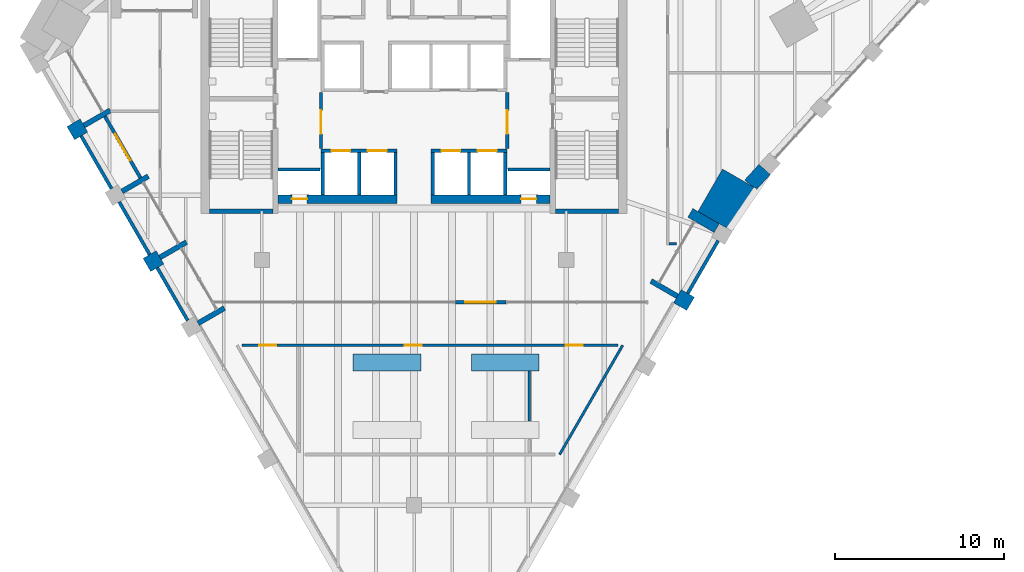
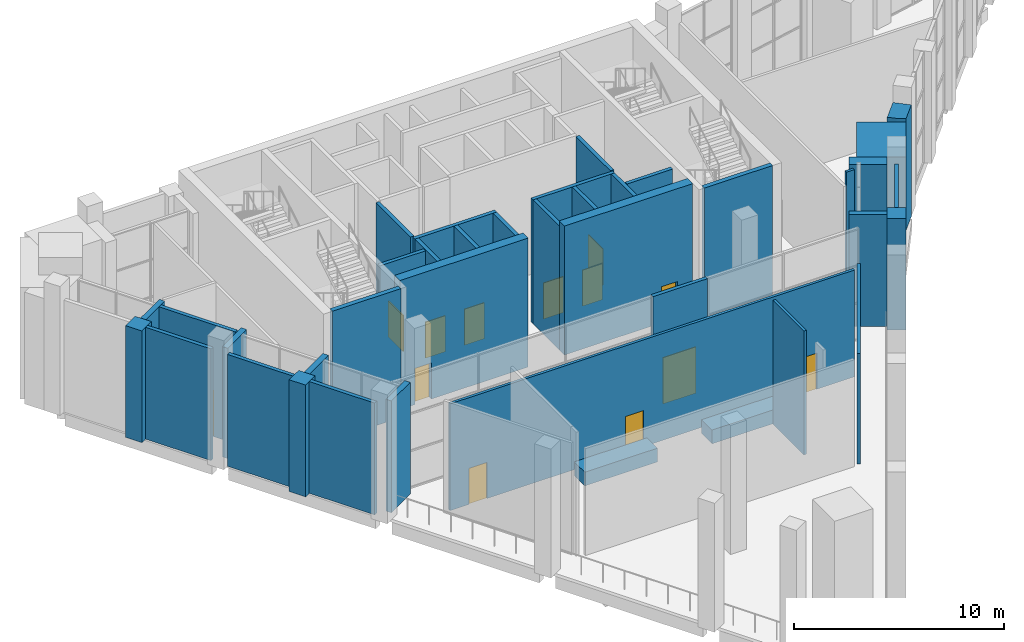
# One storey, part 9 of 14: 39 walls, 13 doors, 13 openings.
"""IFC4 building model written with IfcOpenShell, lengths in metres."""

import ifcopenshell
import ifcopenshell.guid

model = None  # the IFC model being written
_history = None  # IfcOwnerHistory: only IFC2X3 demands one
_inside = {}  # id of a spatial element -> (the spatial element, [elements in it])
_under = {}  # id of a project, library or spatial element -> (it, [spatial elements below it])
_declared = {}  # id of a project -> (the project, [libraries it declares])
_typed = {}  # id of a type object -> (the type object, [elements of that type])
_made_of = {}  # id of a material, layer set ... -> (it, [elements and type objects made of it])


def new_model(schema):
    """Start an empty IFC model of exactly this schema.

    Asked for "IFC4X3", IfcOpenShell would pick the latest addendum, in which some entities
    have other attributes; the version numbers below select the first issue.
    IFC2X3 requires an IfcOwnerHistory on every rooted entity: one is made here for all.
    """
    global model, _history
    if schema == "IFC4X3":
        model = ifcopenshell.file(schema_version=(4, 3, 0, 0))
    else:
        model = ifcopenshell.file(schema=schema)
    _inside.clear()
    _under.clear()
    _declared.clear()
    _typed.clear()
    _made_of.clear()
    _history = None
    if model.schema == "IFC2X3":
        org = make("IfcOrganization", Name="unknown")
        user = make(
            "IfcPersonAndOrganization",
            ThePerson=make("IfcPerson", FamilyName="unknown"),
            TheOrganization=org,
        )
        app = make(
            "IfcApplication",
            ApplicationDeveloper=org,
            Version="unknown",
            ApplicationFullName="unknown",
            ApplicationIdentifier="unknown",
        )
        _history = make(
            "IfcOwnerHistory",
            OwningUser=user,
            OwningApplication=app,
            ChangeAction="ADDED",
            CreationDate=0,
        )
    return model


def make(cls, **values):
    """One entity of the class cls with the attributes given. An attribute that is None is left unset."""
    return model.create_entity(
        cls, **{name: value for name, value in values.items() if value is not None}
    )


def rooted(cls, **values):
    """An entity with a GlobalId (a new one), such as an element, a storey or a relation."""
    return make(cls, GlobalId=ifcopenshell.guid.new(), OwnerHistory=_history, **values)


def si_unit(unit_type, name, prefix=None):
    """IfcSIUnit, for example si_unit("LENGTHUNIT", "METRE", prefix="MILLI")."""
    return make("IfcSIUnit", UnitType=unit_type, Prefix=prefix, Name=name)


def assignment(units):
    """IfcUnitAssignment: the units of a project."""
    return None if units is None else make("IfcUnitAssignment", Units=units)


def point(xyz):
    """IfcCartesianPoint."""
    return None if xyz is None else make("IfcCartesianPoint", Coordinates=xyz)


def direction(xyz):
    """IfcDirection."""
    return None if xyz is None else make("IfcDirection", DirectionRatios=xyz)


def frame(location, z_axis=None, x_axis=None):
    """IfcAxis2Placement3D, a coordinate frame: its origin and axes. An axis left out is left unset."""
    return make(
        "IfcAxis2Placement3D",
        Location=point(location),
        Axis=direction(z_axis),
        RefDirection=direction(x_axis),
    )


def frame_2d(location, x_axis=None):
    """IfcAxis2Placement2D, a coordinate frame in the plane: its origin and x axis."""
    return make(
        "IfcAxis2Placement2D", Location=point(location), RefDirection=direction(x_axis)
    )


def origin():
    """The frame at (0, 0, 0) with its axes left unset."""
    return frame((0.0, 0.0, 0.0))


def place(relative_to, where):
    """IfcLocalPlacement: puts the frame where relative to a parent placement (None: the world)."""
    return make(
        "IfcLocalPlacement", PlacementRelTo=relative_to, RelativePlacement=where
    )


def context(
    kind, dimensions, precision=None, world=None, true_north=None, identifier=None
):
    """IfcGeometricRepresentationContext, for example the 3D "Model" context."""
    return make(
        "IfcGeometricRepresentationContext",
        ContextIdentifier=identifier,
        ContextType=kind,
        CoordinateSpaceDimension=dimensions,
        Precision=precision,
        WorldCoordinateSystem=world,
        TrueNorth=true_north,
    )


def subcontext(parent, identifier, kind, view, scale=None):
    """IfcGeometricRepresentationSubContext, for example "Body" below "Model"."""
    return make(
        "IfcGeometricRepresentationSubContext",
        ContextIdentifier=identifier,
        ContextType=kind,
        ParentContext=parent,
        TargetScale=scale,
        TargetView=view,
    )


def project(units=None, contexts=None):
    """IfcProject with its units and contexts."""
    return rooted(
        "IfcProject",
        Name="project",
        RepresentationContexts=contexts,
        UnitsInContext=assignment(units),
    )


def spatial(cls, under=None, at=None, **own):
    """A site, building, storey or space (cls), placed at a placement, below another one or the project."""
    s = rooted(cls, ObjectPlacement=at, **own)
    if under is not None:
        _under.setdefault(under.id(), (under, []))[1].append(s)
    return s


def polyline(points):
    """IfcPolyline through the points."""
    return make("IfcPolyline", Points=[point(p) for p in points])


def profile(cls, at=None, kind="AREA", **sizes):
    """A parametric profile (cls). Its sizes go by their IFC names, for example OverallWidth=200.0."""
    return make(cls, ProfileType=kind, Position=at, **sizes)


def rectangle(**sizes):
    """IfcRectangleProfileDef."""
    return profile("IfcRectangleProfileDef", **sizes)


def outline(outer, holes=None, kind="AREA"):
    """IfcArbitraryClosedProfileDef: a profile drawn as a closed curve; with holes, ...WithVoids."""
    if holes is None:
        return make("IfcArbitraryClosedProfileDef", ProfileType=kind, OuterCurve=outer)
    return make(
        "IfcArbitraryProfileDefWithVoids",
        ProfileType=kind,
        OuterCurve=outer,
        InnerCurves=holes,
    )


def extrude(swept, where, along, depth):
    """IfcExtrudedAreaSolid: the profile swept, set in the frame where, extruded along a direction by depth."""
    return make(
        "IfcExtrudedAreaSolid",
        SweptArea=swept,
        Position=where,
        ExtrudedDirection=direction(along),
        Depth=depth,
    )


def shape(context_of_items, identifier, shape_type, items):
    """IfcShapeRepresentation: the items that make up one representation, for example the "Body"."""
    return make(
        "IfcShapeRepresentation",
        ContextOfItems=context_of_items,
        RepresentationIdentifier=identifier,
        RepresentationType=shape_type,
        Items=items,
    )


def material(Name=None, Category=None):
    """IfcMaterial."""
    return make("IfcMaterial", Name=Name, Category=Category)


def layer(
    of_material, thickness, ventilated=None, Name=None, Category=None, Priority=None
):
    """IfcMaterialLayer: one layer of a wall or slab, of a material (None: an air gap)."""
    return make(
        "IfcMaterialLayer",
        Material=of_material,
        LayerThickness=thickness,
        IsVentilated=ventilated,
        Name=Name,
        Category=Category,
        Priority=Priority,
    )


def layer_set(layers, Name=None):
    """IfcMaterialLayerSet."""
    return make("IfcMaterialLayerSet", MaterialLayers=layers, LayerSetName=Name)


def made_of(thing, what):
    """Note that an element or type object is made of a material, layer set ...; save() writes the relation."""
    if what is not None:
        _made_of.setdefault(what.id(), (what, []))[1].append(thing)
    return thing


def type_object(cls, material=None, **own):
    """A type object (cls), such as IfcWallType, which elements share."""
    return made_of(rooted(cls, **own), material)


def element(
    cls,
    number,
    at=None,
    inside=None,
    cuts=None,
    type_object=None,
    material=None,
    context=None,
    identifier="Body",
    shape_type=None,
    held_by="IfcProductDefinitionShape",
    body=None,
    shapes=None,
    **own,
):
    """One element of the class cls, such as IfcWall. Its Tag is "e" and its number.

    at: its placement. inside: the storey or other place that contains it. cuts: it is an
    opening in that element (IfcRelVoidsElement). A single representation is given by context,
    identifier, shape_type and body (its items); several are given by shapes. held_by: the class
    of the entity that holds the representations. save() writes the other relations.
    """
    e = rooted(cls, Tag="e%d" % number, ObjectPlacement=at, **own)
    if body is not None:
        shapes = [shape(context, identifier, shape_type, body)]
    if shapes is not None:
        e.Representation = make(held_by, Representations=shapes)
    if inside is not None:
        _inside.setdefault(inside.id(), (inside, []))[1].append(e)
    if cuts is not None:
        rooted(
            "IfcRelVoidsElement", RelatingBuildingElement=cuts, RelatedOpeningElement=e
        )
    if type_object is not None:
        _typed.setdefault(type_object.id(), (type_object, []))[1].append(e)
    return made_of(e, material)


def fill(opening, filler):
    """IfcRelFillsElement: the door or window that sits in an opening."""
    return rooted(
        "IfcRelFillsElement",
        RelatingOpeningElement=opening,
        RelatedBuildingElement=filler,
    )


def aggregate(whole, parts):
    """IfcRelAggregates: a whole, such as a stair, and the parts it consists of."""
    return rooted("IfcRelAggregates", RelatingObject=whole, RelatedObjects=parts)


def save(model, path):
    """Write the relations noted so far, then the file.

    IfcRelAggregates (storeys below a building ...), IfcRelContainedInSpatialStructure (elements
    in a storey), IfcRelDefinesByType, IfcRelAssociatesMaterial and IfcRelDeclares: one each for
    every whole, place, type object, material and project.
    """
    for whole, parts in _under.values():
        aggregate(whole, parts)
    for where, things in _inside.values():
        rooted(
            "IfcRelContainedInSpatialStructure",
            RelatedElements=things,
            RelatingStructure=where,
        )
    for kind, things in _typed.values():
        rooted("IfcRelDefinesByType", RelatedObjects=things, RelatingType=kind)
    for what, things in _made_of.values():
        rooted("IfcRelAssociatesMaterial", RelatedObjects=things, RelatingMaterial=what)
    for by, libraries in _declared.values():
        rooted("IfcRelDeclares", RelatingContext=by, RelatedDefinitions=libraries)
    model.write(path)


model = new_model("IFC4")

# Units and contexts
model_context = context("Model", 3, precision=1e-05, world=origin(), true_north=direction((0.0, 1.0)))
body_context = subcontext(model_context, "Body", "Model", "MODEL_VIEW")
ifc_project = project(units=[si_unit("LENGTHUNIT", "METRE"), si_unit("AREAUNIT", "SQUARE_METRE"), si_unit("VOLUMEUNIT", "CUBIC_METRE"), si_unit("PLANEANGLEUNIT", "RADIAN"), si_unit("MASSUNIT", "GRAM", prefix="KILO")], contexts=[model_context])

# Site, building, storey
site_placement = place(None, origin())
site = spatial("IfcSite", under=ifc_project, at=site_placement, CompositionType="ELEMENT")
building_placement = place(site_placement, origin())
building = spatial("IfcBuilding", under=site, at=building_placement, Name="Calabash Gate Tower", CompositionType="ELEMENT")
storey_placement = place(building_placement, frame((0.0, 0.0, 295.0)))
storey = spatial("IfcBuildingStorey", under=building, at=storey_placement, Name="L71", CompositionType="ELEMENT", Elevation=295.0)

# Walls
ifc_material_1 = material(Name="Terracotta brick masonry, exposed face", Category="masonry")
ifc_layer_1 = layer(ifc_material_1, 2.35009765625)
ifc_layer_set_1 = layer_set([ifc_layer_1], Name="Brick corner mass wall 2350")
wall_type_1 = type_object("IfcWallType", Name="Brick corner mass wall 2350", PredefinedType="SOLIDWALL", material=ifc_layer_set_1)
wall_1_placement = place(storey_placement, origin())
element("IfcWall", 1, at=wall_1_placement, inside=storey, type_object=wall_type_1, Name="Brick corner pier L71 1", PredefinedType="SOLIDWALL", context=body_context, shape_type="SweptSolid", body=[
    extrude(outline(polyline([(18.82275390625, 4.19482421875), (18.822509765625, 4.1943359375), (18.822509765625, 4.1943359375), (20.271240234375, 6.703125), (18.236083984375, 7.878173828125), (16.787353515625, 5.369140625), (18.04296875, 4.644287109375), (18.043212890625, 4.644775390625), (18.82275390625, 4.19482421875)])), origin(), (0.0, 0.0, 1.0), 6.278076171875),
])
ifc_material_2 = material(Name="Terracotta brick masonry, exposed face", Category="masonry")
ifc_layer_2 = layer(ifc_material_2, 0.89990234375)
ifc_layer_set_2 = layer_set([ifc_layer_2], Name="Brick end wall 900")
wall_type_2 = type_object("IfcWallType", Name="Brick end wall 900", PredefinedType="SOLIDWALL", material=ifc_layer_set_2)
for number, where, z_axis, x_axis, name in (
    (2, (-20.301513671875, 9.998046875, 0.0), (0.0, 0.0, 1.0), (0.866013897511, 0.50001992892, 0.0), "Brick pier L71 SW0.1"),
    (3, (-15.022216796875, 2.65380859375, 0.0), (0.0, 0.0, 1.0), (-0.865896406789, -0.500223362819, 0.0), "Brick pier L71 SW0.3"),
):
    element("IfcWall", number, at=place(storey_placement, frame(where, z_axis=z_axis, x_axis=x_axis)), inside=storey, type_object=wall_type_2, Name=name, PredefinedType="SOLIDWALL", context=body_context, shape_type="SweptSolid", body=[
        extrude(rectangle(XDim=0.89990234375, YDim=0.89990234375, at=frame_2d((0.449951171875, 0.0))), origin(), (0.0, 0.0, 1.0), 6.5),
    ])
wall_2_placement = place(storey_placement, frame((15.568115234375, 0.357421875, 0.0), z_axis=(0.0, 0.0, 1.0), x_axis=(0.866081705922, -0.499902469156, 0.0)))
element("IfcWall", 4, at=wall_2_placement, inside=storey, type_object=wall_type_2, Name="Brick pier L71 SE2.5", PredefinedType="SOLIDWALL", context=body_context, shape_type="SweptSolid", body=[
    extrude(rectangle(XDim=0.900146484375, YDim=0.89990234375, at=frame_2d((0.4501953125, 0.0))), origin(), (0.0, 0.0, 1.0), 6.5),
])
wall_3_placement = place(storey_placement, origin())
element("IfcWall", 5, at=wall_3_placement, inside=storey, type_object=wall_type_2, Name="Brick end wall L71 1", PredefinedType="SOLIDWALL", context=body_context, shape_type="SweptSolid", body=[
    extrude(outline(polyline([(20.394775390625, 8.15625), (19.54931640625, 7.23193359375), (19.88134765625, 6.92822265625), (20.271240234375, 6.703125), (20.24658203125, 6.66064453125), (21.058837890625, 7.548828125), (20.394775390625, 8.15625)])), origin(), (0.0, 0.0, 1.0), 6.5),
])
ifc_material_3 = material(Name="Terracotta brick masonry, exposed face", Category="masonry")
ifc_layer_3 = layer(ifc_material_3, 0.300048828125)
ifc_layer_set_3 = layer_set([ifc_layer_3], Name="Brick loggia cheek wall 300")
wall_type_3 = type_object("IfcWallType", Name="Brick loggia cheek wall 300", PredefinedType="SOLIDWALL", material=ifc_layer_set_3)
wall_4_placement = place(storey_placement, frame((-17.96337890625, 11.347900390625, 0.0), z_axis=(0.0, 0.0, 1.0), x_axis=(-0.866047807691, -0.499961193289, 0.0)))
element("IfcWall", 6, at=wall_4_placement, inside=storey, type_object=wall_type_3, Name="Loggia cheek L71 SW0.1", PredefinedType="SOLIDWALL", context=body_context, shape_type="SweptSolid", body=[
    extrude(rectangle(XDim=1.800048828125, YDim=0.300048828125, at=frame_2d((0.89990234375, 0.0))), origin(), (0.0, 0.0, 1.0), 6.5),
])
wall_5_placement = place(storey_placement, frame((-17.272216796875, 6.55078125, 0.0), z_axis=(0.0, 0.0, 1.0), x_axis=(0.865989075817, 0.500062916607, 0.0)))
element("IfcWall", 7, at=wall_5_placement, inside=storey, type_object=wall_type_3, Name="Loggia cheek L71 SW0.2", PredefinedType="SOLIDWALL", context=body_context, shape_type="SweptSolid", body=[
    extrude(rectangle(XDim=1.800048828125, YDim=0.300048828125, at=frame_2d((0.89990234375, 0.0))), origin(), (0.0, 0.0, 1.0), 6.420166015625),
])
wall_6_placement = place(storey_placement, frame((-13.46337890625, 3.5537109375, 0.0), z_axis=(0.0, 0.0, 1.0), x_axis=(-0.866047807691, -0.499961193289, 0.0)))
element("IfcWall", 8, at=wall_6_placement, inside=storey, type_object=wall_type_3, Name="Loggia cheek L71 SW0.3", PredefinedType="SOLIDWALL", context=body_context, shape_type="SweptSolid", body=[
    extrude(rectangle(XDim=1.800048828125, YDim=0.300048828125, at=frame_2d((0.89990234375, 0.0))), origin(), (0.0, 0.0, 1.0), 6.5),
])
wall_7_placement = place(storey_placement, frame((-12.77197265625, -1.243408203125, 0.0), z_axis=(0.0, 0.0, 1.0), x_axis=(0.866013897511, 0.50001992892, 0.0)))
element("IfcWall", 9, at=wall_7_placement, inside=storey, type_object=wall_type_3, Name="Loggia cheek L71 SW0.4", PredefinedType="SOLIDWALL", context=body_context, shape_type="SweptSolid", body=[
    extrude(rectangle(XDim=1.7998046875, YDim=0.300048828125, at=frame_2d((0.89990234375, 0.0))), origin(), (0.0, 0.0, 1.0), 6.5),
])
wall_8_placement = place(storey_placement, frame((15.568115234375, 0.357421875, 0.0), z_axis=(0.0, 0.0, 1.0), x_axis=(-0.866047807691, 0.499961193289, 0.0)))
element("IfcWall", 10, at=wall_8_placement, inside=storey, type_object=wall_type_3, Name="Loggia cheek L71 SE2.5", PredefinedType="SOLIDWALL", context=body_context, shape_type="SweptSolid", body=[
    extrude(rectangle(XDim=1.800048828125, YDim=0.300048828125, at=frame_2d((0.89990234375, 0.0))), origin(), (0.0, 0.0, 1.0), 6.5),
])
wall_9_placement = place(storey_placement, frame((17.89306640625, 4.384521484375, 0.0), z_axis=(0.0, 0.0, 1.0), x_axis=(-0.866047807691, 0.499961193289, 0.0)))
element("IfcWall", 11, at=wall_9_placement, inside=storey, type_object=wall_type_3, Name="Loggia cheek L71 SE2.6", PredefinedType="SOLIDWALL", context=body_context, shape_type="SweptSolid", body=[
    extrude(rectangle(XDim=1.800048828125, YDim=0.60009765625, at=frame_2d((0.89990234375, 0.0))), origin(), (0.0, 0.0, 1.0), 6.278076171875),
])
ifc_material_4 = material(Name="Concrete C60/75", Category="concrete")
ifc_layer_4 = layer(ifc_material_4, 0.25)
ifc_layer_set_4 = layer_set([ifc_layer_4], Name="Core wall 250 Concrete C60/75")
wall_type_4 = type_object("IfcWallType", Name="Core wall 250 Concrete C60/75", PredefinedType="SHEAR", material=ifc_layer_set_4)
for number, where, z_axis, x_axis, name in (
    (12, (-12.10009765625, 5.377685546875, 0.0), (0.0, 0.0, 1.0), (1.0, 0.0, 0.0), "Core wall Z5-SSW L71"),
    (13, (8.35009765625, 5.377685546875, 0.0), (0.0, 0.0, 1.0), (1.0, 0.0, 0.0), "Core wall Z5-SSE L71"),
):
    element("IfcWall", number, at=place(storey_placement, frame(where, z_axis=z_axis, x_axis=x_axis)), inside=storey, type_object=wall_type_4, Name=name, PredefinedType="SHEAR", context=body_context, shape_type="SweptSolid", body=[
        extrude(rectangle(XDim=3.75, YDim=0.25, at=frame_2d((1.875, 0.0))), origin(), (0.0, 0.0, 1.0), 7.5),
    ])

# Wall, opening, door
ifc_material_5 = material(Name="Concrete C60/75", Category="concrete")
ifc_layer_5 = layer(ifc_material_5, 0.5)
ifc_layer_set_5 = layer_set([ifc_layer_5], Name="Core wall 500 Concrete C60/75")
wall_type_5 = type_object("IfcWallType", Name="Core wall 500 Concrete C60/75", PredefinedType="SHEAR", material=ifc_layer_set_5)
wall_10_placement = place(storey_placement, frame((-8.050048828125, 6.1025390625, 0.0), z_axis=(0.0, 0.0, 1.0), x_axis=(1.0, 0.0, 0.0)))
wall_10 = element("IfcWall", 14, at=wall_10_placement, inside=storey, type_object=wall_type_5, Name="Core wall Z5-SA L71", PredefinedType="SHEAR", context=body_context, shape_type="SweptSolid", body=[
    extrude(rectangle(XDim=7.050048828125, YDim=0.5, at=frame_2d((3.52490234375, 0.0))), origin(), (0.0, 0.0, 1.0), 7.5),
])
opening_1_placement = place(wall_10_placement, frame((0.824951171875, 0.0, 0.0)))
opening_1 = element("IfcOpeningElement", 15, at=opening_1_placement, cuts=wall_10, Name="Opening L71-014", PredefinedType="OPENING", context=body_context, shape_type="SweptSolid", body=[
    extrude(rectangle(XDim=0.89990234375, YDim=2.10009765625, at=frame_2d((0.449951171875, 1.050048828125))), frame((0.0, 0.260009765625, 0.0), z_axis=(0.0, -1.0, 0.0), x_axis=(1.0, 0.0, 0.0)), (0.0, 0.0, 1.0), 0.52001953125),
])
ifc_material_6 = material(Name="Steel fire door set with fire-resisting glazing", Category="steel")
door_type_1 = type_object("IfcDoorType", Name="Fire door D07 900x2100 FD90", OperationType="NOTDEFINED", PredefinedType="DOOR", material=ifc_material_6)
door_1_placement = place(opening_1_placement, origin())
door_1 = element("IfcDoor", 16, at=door_1_placement, inside=storey, type_object=door_type_1, Name="Electrical Riser W door", OperationType="SINGLE_SWING_LEFT", OverallHeight=2.10009765625, OverallWidth=0.89990234375, PredefinedType="DOOR", context=body_context, shape_type="SweptSolid", body=[
    extrude(rectangle(XDim=0.89990234375, YDim=2.10009765625, at=frame_2d((0.449951171875, 1.050048828125))), frame((0.0, 0.02490234375, 0.0), z_axis=(0.0, -1.0, 0.0), x_axis=(1.0, 0.0, 0.0)), (0.0, 0.0, 1.0), 0.050048828125),
])
fill(opening_1, door_1)

wall_11_placement = place(storey_placement, frame((1.0, 6.1025390625, 0.0), z_axis=(0.0, 0.0, 1.0), x_axis=(1.0, 0.0, 0.0)))
wall_11 = element("IfcWall", 17, at=wall_11_placement, inside=storey, type_object=wall_type_5, Name="Core wall Z5-SB L71", PredefinedType="SHEAR", context=body_context, shape_type="SweptSolid", body=[
    extrude(rectangle(XDim=7.050048828125, YDim=0.5, at=frame_2d((3.52490234375, 0.0))), origin(), (0.0, 0.0, 1.0), 7.5),
])
opening_2_placement = place(wall_11_placement, frame((5.324951171875, 0.0, 0.0)))
opening_2 = element("IfcOpeningElement", 18, at=opening_2_placement, cuts=wall_11, Name="Opening L71-015", PredefinedType="OPENING", context=body_context, shape_type="SweptSolid", body=[
    extrude(rectangle(XDim=0.89990234375, YDim=2.10009765625, at=frame_2d((0.449951171875, 1.050048828125))), frame((0.0, 0.260009765625, 0.0), z_axis=(0.0, -1.0, 0.0), x_axis=(1.0, 0.0, 0.0)), (0.0, 0.0, 1.0), 0.52001953125),
])
door_2_placement = place(opening_2_placement, origin())
door_2 = element("IfcDoor", 19, at=door_2_placement, inside=storey, type_object=door_type_1, Name="Mechanical Riser E door", OperationType="SINGLE_SWING_RIGHT", OverallHeight=2.10009765625, OverallWidth=0.89990234375, PredefinedType="DOOR", context=body_context, shape_type="SweptSolid", body=[
    extrude(rectangle(XDim=0.89990234375, YDim=2.10009765625, at=frame_2d((0.449951171875, 1.050048828125))), frame((0.0, 0.02490234375, 0.0), z_axis=(0.0, -1.0, 0.0), x_axis=(1.0, 0.0, 0.0)), (0.0, 0.0, 1.0), 0.050048828125),
])
fill(opening_2, door_2)

# Wall
ifc_material_7 = material(Name="Gypsum board on steel studs, mineral wool", Category="steel")
ifc_layer_6 = layer(ifc_material_7, 0.14990234375)
ifc_layer_set_6 = layer_set([ifc_layer_6], Name="Partition 150 gypsum board")
wall_type_6 = type_object("IfcWallType", Name="Partition 150 gypsum board", PredefinedType="PARTITIONING", material=ifc_layer_set_6)
wall_12_placement = place(storey_placement, frame((6.800048828125, -7.031982421875, 0.0), z_axis=(0.0, 0.0, 1.0), x_axis=(0.0, 1.0, 0.0)))
element("IfcWall", 20, at=wall_12_placement, inside=storey, type_object=wall_type_6, Name="Partition", PredefinedType="PARTITIONING", context=body_context, shape_type="SweptSolid", body=[
    extrude(rectangle(XDim=2.960205078125, YDim=0.14990234375, at=frame_2d((1.47998046875, 0.0))), origin(), (0.0, 0.0, 1.0), 7.199951171875),
])

# Wall, openings, doors
wall_13_placement = place(storey_placement, frame((-10.18896484375, -2.54736328125, 0.0), z_axis=(0.0, 0.0, 1.0), x_axis=(1.0, 0.0, 0.0)))
wall_13 = element("IfcWall", 21, at=wall_13_placement, inside=storey, type_object=wall_type_6, Name="Partition", PredefinedType="PARTITIONING", context=body_context, shape_type="SweptSolid", body=[
    extrude(rectangle(XDim=22.249755859375, YDim=0.14990234375, at=frame_2d((11.125, 0.0))), origin(), (0.0, 0.0, 1.0), 6.211669921875),
])
opening_3_placement = place(wall_13_placement, frame((19.171142578125, 0.0, 0.0)))
opening_3 = element("IfcOpeningElement", 22, at=opening_3_placement, cuts=wall_13, Name="Opening L71-020", PredefinedType="OPENING", context=body_context, shape_type="SweptSolid", body=[
    extrude(rectangle(XDim=1.0, YDim=2.10009765625, at=frame_2d((0.5, 1.050048828125))), frame((0.0, 0.0849609375, 0.0), z_axis=(0.0, -1.0, 0.0), x_axis=(1.0, 0.0, 0.0)), (0.0, 0.0, 1.0), 0.169921875),
])
opening_4_placement = place(wall_13_placement, frame((9.638916015625, 0.0, 0.0)))
opening_4 = element("IfcOpeningElement", 23, at=opening_4_placement, cuts=wall_13, Name="Opening L71-021", PredefinedType="OPENING", context=body_context, shape_type="SweptSolid", body=[
    extrude(rectangle(XDim=1.0, YDim=2.10009765625, at=frame_2d((0.5, 1.050048828125))), frame((0.0, 0.0849609375, 0.0), z_axis=(0.0, -1.0, 0.0), x_axis=(1.0, 0.0, 0.0)), (0.0, 0.0, 1.0), 0.169921875),
])
opening_5_placement = place(wall_13_placement, frame((1.0390625, 0.0, 0.0)))
opening_5 = element("IfcOpeningElement", 24, at=opening_5_placement, cuts=wall_13, Name="Opening L71-022", PredefinedType="OPENING", context=body_context, shape_type="SweptSolid", body=[
    extrude(rectangle(XDim=1.0, YDim=2.10009765625, at=frame_2d((0.5, 1.050048828125))), frame((0.0, 0.0849609375, 0.0), z_axis=(0.0, -1.0, 0.0), x_axis=(1.0, 0.0, 0.0)), (0.0, 0.0, 1.0), 0.169921875),
])
ifc_material_8 = material(Name="Steel fire door set with fire-resisting glazing", Category="steel")
door_type_2 = type_object("IfcDoorType", Name="Fire door D11 1000x2100 FD60", OperationType="NOTDEFINED", PredefinedType="DOOR", material=ifc_material_8)
door_3_placement = place(opening_3_placement, origin())
door_3 = element("IfcDoor", 25, at=door_3_placement, inside=storey, type_object=door_type_2, Name="Garden Cafe door", OperationType="SINGLE_SWING_LEFT", OverallHeight=2.10009765625, OverallWidth=1.0, PredefinedType="DOOR", context=body_context, shape_type="SweptSolid", body=[
    extrude(rectangle(XDim=1.0, YDim=2.10009765625, at=frame_2d((0.5, 1.050048828125))), frame((0.0, 0.02490234375, 0.0), z_axis=(0.0, -1.0, 0.0), x_axis=(1.0, 0.0, 0.0)), (0.0, 0.0, 1.0), 0.050048828125),
])
fill(opening_3, door_3)
door_4_placement = place(opening_4_placement, origin())
door_4 = element("IfcDoor", 26, at=door_4_placement, inside=storey, type_object=door_type_2, Name="Kitchen door", OperationType="SINGLE_SWING_RIGHT", OverallHeight=2.10009765625, OverallWidth=1.0, PredefinedType="DOOR", context=body_context, shape_type="SweptSolid", body=[
    extrude(rectangle(XDim=1.0, YDim=2.10009765625, at=frame_2d((0.5, 1.050048828125))), frame((0.0, 0.02490234375, 0.0), z_axis=(0.0, -1.0, 0.0), x_axis=(1.0, 0.0, 0.0)), (0.0, 0.0, 1.0), 0.050048828125),
])
fill(opening_4, door_4)
door_5_placement = place(opening_5_placement, origin())
door_5 = element("IfcDoor", 27, at=door_5_placement, inside=storey, type_object=door_type_2, Name="Lounge door", OperationType="SINGLE_SWING_RIGHT", OverallHeight=2.10009765625, OverallWidth=1.0, PredefinedType="DOOR", context=body_context, shape_type="SweptSolid", body=[
    extrude(rectangle(XDim=1.0, YDim=2.10009765625, at=frame_2d((0.5, 1.050048828125))), frame((0.0, 0.02490234375, 0.0), z_axis=(0.0, -1.0, 0.0), x_axis=(1.0, 0.0, 0.0)), (0.0, 0.0, 1.0), 0.050048828125),
])
fill(opening_5, door_5)

# Walls
wall_14_placement = place(storey_placement, frame((15.074951171875, 3.45263671875, 0.0), z_axis=(0.0, 0.0, 1.0), x_axis=(1.0, 0.0, 0.0)))
element("IfcWall", 28, at=wall_14_placement, inside=storey, type_object=wall_type_6, Name="Partition", PredefinedType="PARTITIONING", context=body_context, shape_type="SweptSolid", body=[
    extrude(rectangle(XDim=0.449951171875, YDim=0.14990234375, at=frame_2d((0.22509765625, 0.0))), origin(), (0.0, 0.0, 1.0), 7.199951171875),
])
wall_15_placement = place(storey_placement, frame((8.60693359375, -9.0, 0.0), z_axis=(0.0, 0.0, 1.0), x_axis=(0.499990965763, 0.866030619641, 0.0)))
element("IfcWall", 29, at=wall_15_placement, inside=storey, type_object=wall_type_6, Name="Partition", PredefinedType="PARTITIONING", context=body_context, shape_type="SweptSolid", body=[
    extrude(rectangle(XDim=7.450927734375, YDim=0.14990234375, at=frame_2d((3.7255859375, 0.0))), origin(), (0.0, 0.0, 1.0), 6.443603515625),
])

# Wall, opening, door
ifc_material_9 = material(Name="Aluminium framed window wall with insulated spandrel", Category="aluminium")
ifc_layer_7 = layer(ifc_material_9, 0.199951171875)
ifc_layer_set_7 = layer_set([ifc_layer_7], Name="Portal screen door wall 200")
wall_type_7 = type_object("IfcWallType", Name="Portal screen door wall 200", PredefinedType="ELEMENTEDWALL", material=ifc_layer_set_7)
wall_16_placement = place(storey_placement, frame((2.43603515625, 0.0, 0.0), z_axis=(0.0, 0.0, 1.0), x_axis=(1.0, 0.0, 0.0)))
wall_16 = element("IfcWall", 30, at=wall_16_placement, inside=storey, type_object=wall_type_7, Name="Portal screen door wall L71", PredefinedType="ELEMENTEDWALL", context=body_context, shape_type="SweptSolid", body=[
    extrude(rectangle(XDim=3.0, YDim=0.199951171875, at=frame_2d((1.5, 0.0))), origin(), (0.0, 0.0, 1.0), 6.5),
])
opening_6_placement = place(wall_16_placement, frame((0.60009765625, 0.0, 0.0)))
opening_6 = element("IfcOpeningElement", 31, at=opening_6_placement, cuts=wall_16, Name="Opening L71-002", PredefinedType="OPENING", context=body_context, shape_type="SweptSolid", body=[
    extrude(rectangle(XDim=1.800048828125, YDim=2.699951171875, at=frame_2d((0.89990234375, 1.35009765625))), frame((0.0, 0.10986328125, 0.0), z_axis=(0.0, -1.0, 0.0), x_axis=(1.0, 0.0, 0.0)), (0.0, 0.0, 1.0), 0.219970703125),
])
ifc_material_10 = material(Name="Anodised aluminium frame, bronze finish, impact-rated laminated clear glazing", Category="aluminium")
door_type_3 = type_object("IfcDoorType", Name="Observation deck door DX1 1800x2700", OperationType="DOUBLE_DOOR_SINGLE_SWING", PredefinedType="DOOR", material=ifc_material_10)
door_6_placement = place(opening_6_placement, origin())
door_6 = element("IfcDoor", 32, at=door_6_placement, inside=storey, type_object=door_type_3, Name="Portal terrace door L71", OperationType="SINGLE_SWING_LEFT", OverallHeight=2.699951171875, OverallWidth=1.800048828125, PredefinedType="DOOR", context=body_context, shape_type="SweptSolid", body=[
    extrude(rectangle(XDim=1.800048828125, YDim=2.699951171875, at=frame_2d((0.89990234375, 1.35009765625))), frame((0.0, 0.02490234375, 0.0), z_axis=(0.0, -1.0, 0.0), x_axis=(1.0, 0.0, 0.0)), (0.0, 0.0, 1.0), 0.050048828125),
])
fill(opening_6, door_6)

# Walls
ifc_material_11 = material(Name="Concrete C40/50", Category="concrete")
ifc_layer_8 = layer(ifc_material_11, 0.199951171875)
ifc_layer_set_8 = layer_set([ifc_layer_8], Name="Shaft wall 200 Concrete C40/50")
wall_type_8 = type_object("IfcWallType", Name="Shaft wall 200 Concrete C40/50", PredefinedType="SOLIDWALL", material=ifc_layer_set_8)
for number, where, z_axis, x_axis, name in (
    (33, (-5.39990234375, 6.3525390625, 0.0), (0.0, 0.0, 1.0), (0.0, 1.0, 0.0), "Shaft wall"),
    (34, (-3.25, 6.3525390625, 0.0), (0.0, 0.0, 1.0), (0.0, 1.0, 0.0), "Shaft wall"),
    (35, (-1.10009765625, 6.3525390625, 0.0), (0.0, 0.0, 1.0), (0.0, 1.0, 0.0), "Shaft wall"),
    (36, (1.10009765625, 6.3525390625, 0.0), (0.0, 0.0, 1.0), (0.0, 1.0, 0.0), "Shaft wall"),
    (37, (3.25, 6.3525390625, 0.0), (0.0, 0.0, 1.0), (0.0, 1.0, 0.0), "Shaft wall"),
    (38, (5.39990234375, 6.3525390625, 0.0), (0.0, 0.0, 1.0), (0.0, 1.0, 0.0), "Shaft wall"),
    (39, (-8.050048828125, 7.8525390625, 0.0), (0.0, 0.0, 1.0), (1.0, 0.0, 0.0), "Shaft wall"),
    (40, (5.550048828125, 7.8525390625, 0.0), (0.0, 0.0, 1.0), (1.0, 0.0, 0.0), "Shaft wall"),
):
    element("IfcWall", number, at=place(storey_placement, frame(where, z_axis=z_axis, x_axis=x_axis)), inside=storey, type_object=wall_type_8, Name=name, PredefinedType="SOLIDWALL", context=body_context, shape_type="SweptSolid", body=[
        extrude(rectangle(XDim=2.5, YDim=0.199951171875, at=frame_2d((1.25, 0.0))), origin(), (0.0, 0.0, 1.0), 7.199951171875),
    ])

# Wall, openings, doors
wall_17_placement = place(storey_placement, frame((-5.5, 8.95263671875, 0.0), z_axis=(0.0, 0.0, 1.0), x_axis=(1.0, 0.0, 0.0)))
wall_17 = element("IfcWall", 41, at=wall_17_placement, inside=storey, type_object=wall_type_8, Name="Shaft wall", PredefinedType="SOLIDWALL", context=body_context, shape_type="SweptSolid", body=[
    extrude(rectangle(XDim=4.5, YDim=0.199951171875, at=frame_2d((2.25, 0.0))), origin(), (0.0, 0.0, 1.0), 7.199951171875),
])
opening_7_placement = place(wall_17_placement, frame((0.625, 0.0, 0.0)))
opening_7 = element("IfcOpeningElement", 42, at=opening_7_placement, cuts=wall_17, Name="Opening LD-HR1", PredefinedType="OPENING", context=body_context, shape_type="SweptSolid", body=[
    extrude(rectangle(XDim=1.10009765625, YDim=2.10009765625, at=frame_2d((0.550048828125, 1.050048828125))), frame((0.0, 0.10986328125, 0.0), z_axis=(0.0, -1.0, 0.0), x_axis=(1.0, 0.0, 0.0)), (0.0, 0.0, 1.0), 0.219970703125),
])
opening_8_placement = place(wall_17_placement, frame((2.77490234375, 0.0, 0.0)))
opening_8 = element("IfcOpeningElement", 43, at=opening_8_placement, cuts=wall_17, Name="Opening LD-HR2", PredefinedType="OPENING", context=body_context, shape_type="SweptSolid", body=[
    extrude(rectangle(XDim=1.10009765625, YDim=2.10009765625, at=frame_2d((0.550048828125, 1.050048828125))), frame((0.0, 0.10986328125, 0.0), z_axis=(0.0, -1.0, 0.0), x_axis=(1.0, 0.0, 0.0)), (0.0, 0.0, 1.0), 0.219970703125),
])
ifc_material_12 = material(Name="Stainless steel sliding door leaves", Category="steel")
door_type_4 = type_object("IfcDoorType", Name="Lift landing door LS1 1100x2100 FD90", OperationType="DOUBLE_DOOR_SLIDING", PredefinedType="DOOR", material=ifc_material_12)
door_7_placement = place(opening_7_placement, origin())
door_7 = element("IfcDoor", 44, at=door_7_placement, inside=storey, type_object=door_type_4, Name="Lift landing door HR1", OperationType="DOUBLE_DOOR_SLIDING", OverallHeight=2.10009765625, OverallWidth=1.10009765625, PredefinedType="DOOR", context=body_context, shape_type="SweptSolid", body=[
    extrude(rectangle(XDim=1.10009765625, YDim=2.10009765625, at=frame_2d((0.550048828125, 1.050048828125))), frame((0.0, 0.02490234375, 0.0), z_axis=(0.0, -1.0, 0.0), x_axis=(1.0, 0.0, 0.0)), (0.0, 0.0, 1.0), 0.050048828125),
])
fill(opening_7, door_7)
door_8_placement = place(opening_8_placement, origin())
door_8 = element("IfcDoor", 45, at=door_8_placement, inside=storey, type_object=door_type_4, Name="Lift landing door HR2", OperationType="DOUBLE_DOOR_SLIDING", OverallHeight=2.10009765625, OverallWidth=1.10009765625, PredefinedType="DOOR", context=body_context, shape_type="SweptSolid", body=[
    extrude(rectangle(XDim=1.10009765625, YDim=2.10009765625, at=frame_2d((0.550048828125, 1.050048828125))), frame((0.0, 0.02490234375, 0.0), z_axis=(0.0, -1.0, 0.0), x_axis=(1.0, 0.0, 0.0)), (0.0, 0.0, 1.0), 0.050048828125),
])
fill(opening_8, door_8)

wall_18_placement = place(storey_placement, frame((1.0, 8.95263671875, 0.0), z_axis=(0.0, 0.0, 1.0), x_axis=(1.0, 0.0, 0.0)))
wall_18 = element("IfcWall", 46, at=wall_18_placement, inside=storey, type_object=wall_type_8, Name="Shaft wall", PredefinedType="SOLIDWALL", context=body_context, shape_type="SweptSolid", body=[
    extrude(rectangle(XDim=4.5, YDim=0.199951171875, at=frame_2d((2.25, 0.0))), origin(), (0.0, 0.0, 1.0), 7.199951171875),
])
opening_9_placement = place(wall_18_placement, frame((0.625, 0.0, 0.0)))
opening_9 = element("IfcOpeningElement", 47, at=opening_9_placement, cuts=wall_18, Name="Opening LD-HR3", PredefinedType="OPENING", context=body_context, shape_type="SweptSolid", body=[
    extrude(rectangle(XDim=1.10009765625, YDim=2.10009765625, at=frame_2d((0.550048828125, 1.050048828125))), frame((0.0, 0.10986328125, 0.0), z_axis=(0.0, -1.0, 0.0), x_axis=(1.0, 0.0, 0.0)), (0.0, 0.0, 1.0), 0.219970703125),
])
opening_10_placement = place(wall_18_placement, frame((2.77490234375, 0.0, 0.0)))
opening_10 = element("IfcOpeningElement", 48, at=opening_10_placement, cuts=wall_18, Name="Opening LD-HR4", PredefinedType="OPENING", context=body_context, shape_type="SweptSolid", body=[
    extrude(rectangle(XDim=1.10009765625, YDim=2.10009765625, at=frame_2d((0.550048828125, 1.050048828125))), frame((0.0, 0.10986328125, 0.0), z_axis=(0.0, -1.0, 0.0), x_axis=(1.0, 0.0, 0.0)), (0.0, 0.0, 1.0), 0.219970703125),
])
door_9_placement = place(opening_9_placement, origin())
door_9 = element("IfcDoor", 49, at=door_9_placement, inside=storey, type_object=door_type_4, Name="Lift landing door HR3", OperationType="DOUBLE_DOOR_SLIDING", OverallHeight=2.10009765625, OverallWidth=1.10009765625, PredefinedType="DOOR", context=body_context, shape_type="SweptSolid", body=[
    extrude(rectangle(XDim=1.10009765625, YDim=2.10009765625, at=frame_2d((0.550048828125, 1.050048828125))), frame((0.0, 0.02490234375, 0.0), z_axis=(0.0, -1.0, 0.0), x_axis=(1.0, 0.0, 0.0)), (0.0, 0.0, 1.0), 0.050048828125),
])
fill(opening_9, door_9)
door_10_placement = place(opening_10_placement, origin())
door_10 = element("IfcDoor", 50, at=door_10_placement, inside=storey, type_object=door_type_4, Name="Lift landing door HR4", OperationType="DOUBLE_DOOR_SLIDING", OverallHeight=2.10009765625, OverallWidth=1.10009765625, PredefinedType="DOOR", context=body_context, shape_type="SweptSolid", body=[
    extrude(rectangle(XDim=1.10009765625, YDim=2.10009765625, at=frame_2d((0.550048828125, 1.050048828125))), frame((0.0, 0.02490234375, 0.0), z_axis=(0.0, -1.0, 0.0), x_axis=(1.0, 0.0, 0.0)), (0.0, 0.0, 1.0), 0.050048828125),
])
fill(opening_10, door_10)

# Wall, opening, door
wall_19_placement = place(storey_placement, frame((-5.5, 9.1025390625, 0.0), z_axis=(0.0, 0.0, 1.0), x_axis=(0.0, 1.0, 0.0)))
wall_19 = element("IfcWall", 51, at=wall_19_placement, inside=storey, type_object=wall_type_8, Name="Shaft wall", PredefinedType="SOLIDWALL", context=body_context, shape_type="SweptSolid", body=[
    extrude(rectangle(XDim=3.300048828125, YDim=0.199951171875, at=frame_2d((1.64990234375, 0.0))), origin(), (0.0, 0.0, 1.0), 7.199951171875),
])
opening_11_placement = place(wall_19_placement, frame((0.85009765625, 0.0, 0.0)))
opening_11 = element("IfcOpeningElement", 52, at=opening_11_placement, cuts=wall_19, Name="Opening L71-008", PredefinedType="OPENING", context=body_context, shape_type="SweptSolid", body=[
    extrude(rectangle(XDim=1.39990234375, YDim=2.10009765625, at=frame_2d((0.699951171875, 1.050048828125))), frame((0.0, 0.10986328125, 0.0), z_axis=(0.0, -1.0, 0.0), x_axis=(1.0, 0.0, 0.0)), (0.0, 0.0, 1.0), 0.219970703125),
])
ifc_material_13 = material(Name="Steel fire door set with fire-resisting glazing", Category="steel")
door_type_5 = type_object("IfcDoorType", Name="Fire door D05 1400x2100 FD90", OperationType="NOTDEFINED", PredefinedType="DOOR", material=ifc_material_13)
door_11_placement = place(opening_11_placement, origin())
door_11 = element("IfcDoor", 53, at=door_11_placement, inside=storey, type_object=door_type_5, Name="Firefighting Lobby W door", OperationType="SINGLE_SWING_RIGHT", OverallHeight=2.10009765625, OverallWidth=1.39990234375, PredefinedType="DOOR", context=body_context, shape_type="SweptSolid", body=[
    extrude(rectangle(XDim=1.39990234375, YDim=2.10009765625, at=frame_2d((0.699951171875, 1.050048828125))), frame((0.0, 0.02490234375, 0.0), z_axis=(0.0, -1.0, 0.0), x_axis=(1.0, 0.0, 0.0)), (0.0, 0.0, 1.0), 0.050048828125),
])
fill(opening_11, door_11)

wall_20_placement = place(storey_placement, frame((5.5, 9.1025390625, 0.0), z_axis=(0.0, 0.0, 1.0), x_axis=(0.0, 1.0, 0.0)))
wall_20 = element("IfcWall", 54, at=wall_20_placement, inside=storey, type_object=wall_type_8, Name="Shaft wall", PredefinedType="SOLIDWALL", context=body_context, shape_type="SweptSolid", body=[
    extrude(rectangle(XDim=3.300048828125, YDim=0.199951171875, at=frame_2d((1.64990234375, 0.0))), origin(), (0.0, 0.0, 1.0), 7.199951171875),
])
opening_12_placement = place(wall_20_placement, frame((0.85009765625, 0.0, 0.0)))
opening_12 = element("IfcOpeningElement", 55, at=opening_12_placement, cuts=wall_20, Name="Opening L71-009", PredefinedType="OPENING", context=body_context, shape_type="SweptSolid", body=[
    extrude(rectangle(XDim=1.39990234375, YDim=2.10009765625, at=frame_2d((0.699951171875, 1.050048828125))), frame((0.0, 0.10986328125, 0.0), z_axis=(0.0, -1.0, 0.0), x_axis=(1.0, 0.0, 0.0)), (0.0, 0.0, 1.0), 0.219970703125),
])
door_12_placement = place(opening_12_placement, origin())
door_12 = element("IfcDoor", 56, at=door_12_placement, inside=storey, type_object=door_type_5, Name="Firefighting Lobby E door", OperationType="SINGLE_SWING_LEFT", OverallHeight=2.10009765625, OverallWidth=1.39990234375, PredefinedType="DOOR", context=body_context, shape_type="SweptSolid", body=[
    extrude(rectangle(XDim=1.39990234375, YDim=2.10009765625, at=frame_2d((0.699951171875, 1.050048828125))), frame((0.0, 0.02490234375, 0.0), z_axis=(0.0, -1.0, 0.0), x_axis=(1.0, 0.0, 0.0)), (0.0, 0.0, 1.0), 0.050048828125),
])
fill(opening_12, door_12)

# Walls
ifc_material_14 = material(Name="Brick planter wall with planting soil", Category="masonry")
ifc_layer_9 = layer(ifc_material_14, 0.300048828125)
ifc_layer_set_9 = layer_set([ifc_layer_9], Name="Terrace planter wall 300")
wall_type_9 = type_object("IfcWallType", Name="Terrace planter wall 300", PredefinedType="USERDEFINED", material=ifc_layer_set_9)
wall_21_placement = place(storey_placement, origin())
element("IfcWall", 57, at=wall_21_placement, inside=storey, type_object=wall_type_9, Name="PLANTER L71 3", ObjectType="PLANTER", PredefinedType="USERDEFINED", context=body_context, shape_type="SweptSolid", body=[
    extrude(outline(polyline([(0.396728515625, -4.052001953125), (0.396728515625, -3.052001953125), (-3.603271484375, -3.052001953125), (-3.603271484375, -4.052001953125), (0.396728515625, -4.052001953125)])), origin(), (0.0, 0.0, 1.0), 0.800048828125),
])
wall_22_placement = place(storey_placement, origin())
element("IfcWall", 58, at=wall_22_placement, inside=storey, type_object=wall_type_9, Name="PLANTER L71 4", ObjectType="PLANTER", PredefinedType="USERDEFINED", context=body_context, shape_type="SweptSolid", body=[
    extrude(outline(polyline([(7.396728515625, -4.052001953125), (7.396728515625, -3.052001953125), (3.396728515625, -3.052001953125), (3.396728515625, -4.052001953125), (7.396728515625, -4.052001953125)])), origin(), (0.0, 0.0, 1.0), 0.800048828125),
])
ifc_material_15 = material(Name="Terracotta brick masonry, perforated", Category="masonry")
ifc_layer_10 = layer(ifc_material_15, 0.199951171875)
ifc_layer_set_10 = layer_set([ifc_layer_10], Name="Terracotta jaali screen A")
wall_type_10 = type_object("IfcWallType", Name="Terracotta jaali screen A", PredefinedType="SOLIDWALL", material=ifc_layer_set_10)
for number, where, z_axis, x_axis, name in (
    (59, (-19.686767578125, 9.833251953125, 0.0), (0.0, 0.0, 1.0), (0.499961193289, -0.866047807691, 0.0), "SCREEN A L71 SW0.2"),
    (60, (-17.436767578125, 5.93603515625, 0.0), (0.0, 0.0, 1.0), (0.499961193289, -0.866047807691, 0.0), "SCREEN A L71 SW0.3"),
    (61, (-15.186767578125, 2.0390625, 0.0), (0.0, 0.0, 1.0), (0.499961193289, -0.866047807691, 0.0), "SCREEN A L71 SW0.4"),
):
    element("IfcWall", number, at=place(storey_placement, frame(where, z_axis=z_axis, x_axis=x_axis)), inside=storey, type_object=wall_type_10, Name=name, PredefinedType="SOLIDWALL", context=body_context, shape_type="SweptSolid", body=[
        extrude(rectangle(XDim=3.599853515625, YDim=0.199951171875, at=frame_2d((1.7998046875, 0.0))), origin(), (0.0, 0.0, 1.0), 6.5),
    ])
wall_23_placement = place(storey_placement, frame((16.182861328125, 0.522216796875, 0.0), z_axis=(0.0, 0.0, 1.0), x_axis=(0.500012057535, 0.866018442252, 0.0)))
element("IfcWall", 62, at=wall_23_placement, inside=storey, type_object=wall_type_10, Name="SCREEN A L71 SE2.6", PredefinedType="SOLIDWALL", context=body_context, shape_type="SweptSolid", body=[
    extrude(rectangle(XDim=3.60009765625, YDim=0.199951171875, at=frame_2d((1.800048828125, 0.0))), origin(), (0.0, 0.0, 1.0), 6.5),
])

# Wall, opening, door
ifc_material_16 = material(Name="Aluminium framed window wall with insulated spandrel", Category="aluminium")
ifc_layer_11 = layer(ifc_material_16, 0.199951171875)
ifc_layer_set_11 = layer_set([ifc_layer_11], Name="Window wall 200")
wall_type_11 = type_object("IfcWallType", Name="Window wall 200", PredefinedType="ELEMENTEDWALL", material=ifc_layer_set_11)
wall_24_placement = place(storey_placement, frame((-18.278076171875, 10.9931640625, 0.0), z_axis=(0.0, 0.0, 1.0), x_axis=(0.500002543286, -0.866023935413, 0.0)))
wall_24 = element("IfcWall", 63, at=wall_24_placement, inside=storey, type_object=wall_type_11, Name="Window wall L71 SW0.2", PredefinedType="ELEMENTEDWALL", context=body_context, shape_type="SweptSolid", body=[
    extrude(rectangle(XDim=4.2001953125, YDim=0.199951171875, at=frame_2d((2.10009765625, 0.0))), origin(), (0.0, 0.0, 1.0), 6.5),
])
opening_13_placement = place(wall_24_placement, frame((1.199951171875, 0.0, 0.0)))
opening_13 = element("IfcOpeningElement", 64, at=opening_13_placement, cuts=wall_24, Name="Opening L71-001", PredefinedType="OPENING", context=body_context, shape_type="SweptSolid", body=[
    extrude(rectangle(XDim=1.800048828125, YDim=2.699951171875, at=frame_2d((0.89990234375, 1.35009765625))), frame((0.0, 0.10986328125, 0.0), z_axis=(0.0, -1.0, 0.0), x_axis=(1.0, 0.0, 0.0)), (0.0, 0.0, 1.0), 0.219970703125),
])
door_13_placement = place(opening_13_placement, origin())
door_13 = element("IfcDoor", 65, at=door_13_placement, inside=storey, type_object=door_type_3, Name="Loggia door L71 SW0.2", OperationType="SINGLE_SWING_LEFT", OverallHeight=2.699951171875, OverallWidth=1.800048828125, PredefinedType="DOOR", context=body_context, shape_type="SweptSolid", body=[
    extrude(rectangle(XDim=1.800048828125, YDim=2.699951171875, at=frame_2d((0.89990234375, 1.35009765625))), frame((0.0, 0.02490234375, 0.0), z_axis=(0.0, -1.0, 0.0), x_axis=(1.0, 0.0, 0.0)), (0.0, 0.0, 1.0), 0.050048828125),
])
fill(opening_13, door_13)

save(model, "model.ifc")
